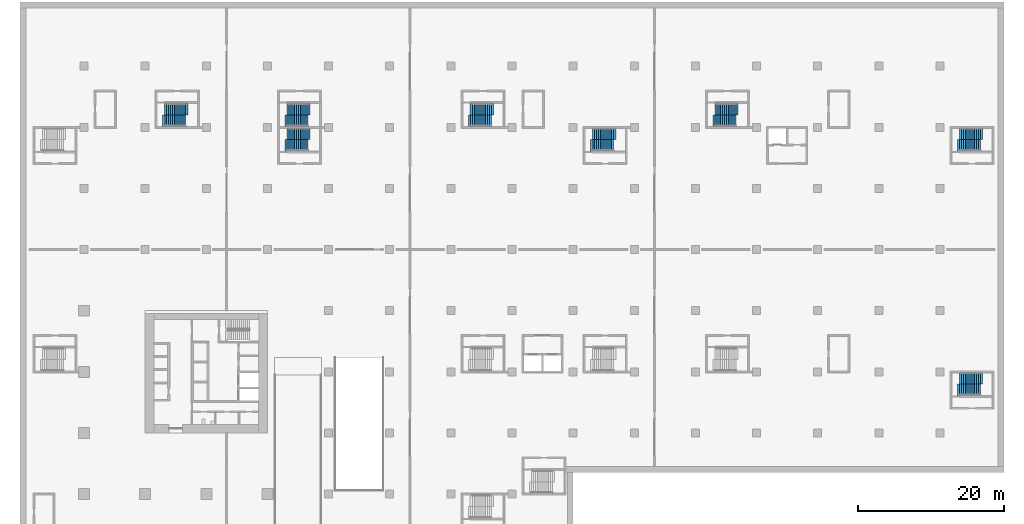
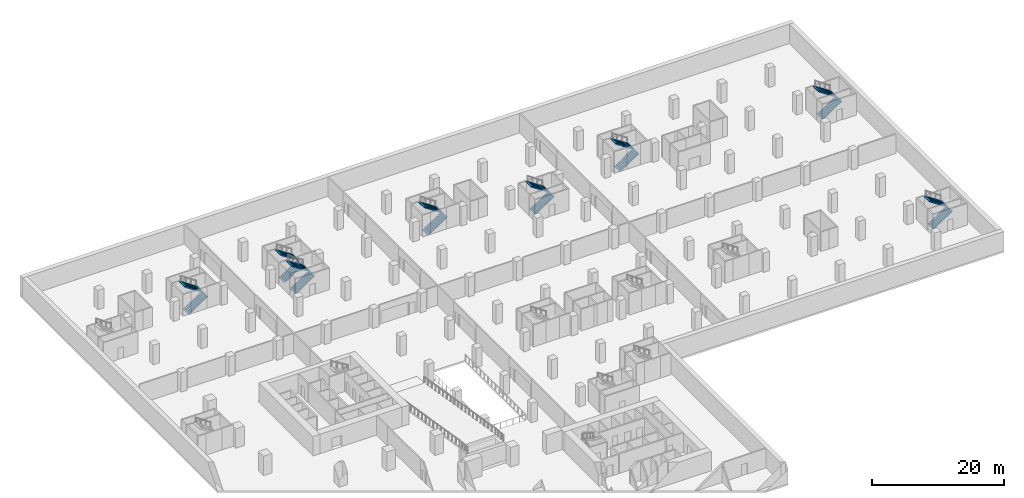
# One storey, part 15 of 18: 16 stair flights, 8 elements without a shape of their own.
"""IFC4 building model written with IfcOpenShell, lengths in metres."""

from ifc_helpers import new_model, si_unit, direction, frame, origin, place, context, subcontext, project, spatial, polyline, outline, extrude, material, type_object, element, aggregate, save


model = new_model("IFC4")

# Units and contexts
model_context = context("Model", 3, precision=1e-05, world=origin(), true_north=direction((0.0, 1.0)))
body_context = subcontext(model_context, "Body", "Model", "MODEL_VIEW")
ifc_project = project(units=[si_unit("LENGTHUNIT", "METRE"), si_unit("AREAUNIT", "SQUARE_METRE"), si_unit("VOLUMEUNIT", "CUBIC_METRE"), si_unit("PLANEANGLEUNIT", "RADIAN"), si_unit("MASSUNIT", "GRAM", prefix="KILO")], contexts=[model_context])

# Site, building, storey
site_placement = place(None, origin())
site = spatial("IfcSite", under=ifc_project, at=site_placement, CompositionType="ELEMENT")
building_placement = place(site_placement, origin())
building = spatial("IfcBuilding", under=site, at=building_placement, Name="Vermilion Gate Residences", CompositionType="ELEMENT")
storey_placement = place(building_placement, frame((0.0, 0.0, -4.0)))
storey = spatial("IfcBuildingStorey", under=building, at=storey_placement, Name="B1", CompositionType="ELEMENT", Elevation=-4.0)

# Stair, stair flights
ifc_material_1 = material(Name="Concrete C30", Category="concrete")
stair_type = type_object("IfcStairType", Name="ESCAPE STAIR 1200 (AMENITY)", PredefinedType="HALF_TURN_STAIR", material=ifc_material_1)
stair_1_placement = place(storey_placement, origin())
stair_1 = element("IfcStair", 1, at=stair_1_placement, inside=storey, type_object=stair_type, Name="Garage escape stair 5 B1 to L00", PredefinedType="HALF_TURN_STAIR")
ifc_material_2 = material(Name="Concrete C30", Category="concrete")
stair_flight_type = type_object("IfcStairFlightType", Name="ESCAPE STAIR FLIGHT 1200 (AMENITY)", PredefinedType="STRAIGHT", material=ifc_material_2)
stair_flight_1_placement = place(storey_placement, frame((120.300048828125, 47.89990234375, 0.0), z_axis=(0.0, 0.0, 1.0), x_axis=(1.0, 0.0, 0.0)))
stair_flight_1 = element("IfcStairFlight", 2, at=stair_flight_1_placement, type_object=stair_flight_type, Name="STG5 flight 1", NumberOfRisers=12, NumberOfTreads=11, PredefinedType="STRAIGHT", RiserHeight=0.173913043, TreadLength=0.26, context=body_context, shape_type="SweptSolid", body=[
    extrude(outline(polyline([(-0.300048828125, -0.14990234375), (-0.300048828125, -0.030029296875), (0.0, 0.0), (0.0, 0.173828125), (0.260009765625, 0.173828125), (0.260009765625, 0.347900390625), (0.52001953125, 0.347900390625), (0.52001953125, 0.521728515625), (0.780029296875, 0.521728515625), (0.780029296875, 0.695556640625), (1.0400390625, 0.695556640625), (1.0400390625, 0.86962890625), (1.300048828125, 0.86962890625), (1.300048828125, 1.04345703125), (1.56005859375, 1.04345703125), (1.56005859375, 1.21728515625), (1.820068359375, 1.21728515625), (1.820068359375, 1.391357421875), (2.080078125, 1.391357421875), (2.080078125, 1.565185546875), (2.340087890625, 1.565185546875), (2.340087890625, 1.739013671875), (2.60009765625, 1.739013671875), (2.60009765625, 1.9130859375), (2.860107421875, 1.9130859375), (2.860107421875, 2.0869140625), (3.159912109375, 2.056884765625), (3.159912109375, 1.93701171875), (2.860107421875, 1.732666015625), (0.26953125, 0.0), (-0.300048828125, -0.14990234375)])), frame((0.0, 0.800048828125, 0.0), z_axis=(0.0, -1.0, 0.0), x_axis=(1.0, 0.0, 0.0)), (0.0, 0.0, 1.0), 1.60009765625),
])
stair_flight_2_placement = place(storey_placement, frame((123.159912109375, 49.5, 2.0869140625), z_axis=(0.0, 0.0, 1.0), x_axis=(-1.0, 0.0, 0.0)))
stair_flight_2 = element("IfcStairFlight", 3, at=stair_flight_2_placement, type_object=stair_flight_type, Name="STG5 flight 2", NumberOfRisers=11, NumberOfTreads=10, PredefinedType="STRAIGHT", RiserHeight=0.173913043, TreadLength=0.26, context=body_context, shape_type="SweptSolid", body=[
    extrude(outline(polyline([(-0.300048828125, -0.14990234375), (-0.300048828125, -0.030029296875), (0.0, 0.0), (0.0, 0.173828125), (0.260009765625, 0.173828125), (0.260009765625, 0.347900390625), (0.52001953125, 0.347900390625), (0.52001953125, 0.521728515625), (0.780029296875, 0.521728515625), (0.780029296875, 0.695556640625), (1.0400390625, 0.695556640625), (1.0400390625, 0.86962890625), (1.300048828125, 0.86962890625), (1.300048828125, 1.04345703125), (1.56005859375, 1.04345703125), (1.56005859375, 1.21728515625), (1.820068359375, 1.21728515625), (1.820068359375, 1.391357421875), (2.080078125, 1.391357421875), (2.080078125, 1.565185546875), (2.340087890625, 1.565185546875), (2.340087890625, 1.739013671875), (2.60009765625, 1.739013671875), (2.60009765625, 1.9130859375), (2.89990234375, 1.883056640625), (2.89990234375, 1.76318359375), (2.60009765625, 1.558837890625), (0.26953125, 0.0), (-0.300048828125, -0.14990234375)])), frame((0.0, 0.800048828125, 0.0), z_axis=(0.0, -1.0, 0.0), x_axis=(1.0, 0.0, 0.0)), (0.0, 0.0, 1.0), 1.60009765625),
])
aggregate(stair_1, [stair_flight_1, stair_flight_2])

stair_2_placement = place(storey_placement, origin())
stair_2 = element("IfcStair", 4, at=stair_2_placement, inside=storey, type_object=stair_type, Name="Garage escape stair 8 B1 to L00", PredefinedType="HALF_TURN_STAIR")
stair_flight_3_placement = place(storey_placement, frame((11.10009765625, 84.89990234375, 0.0), z_axis=(0.0, 0.0, 1.0), x_axis=(1.0, 0.0, 0.0)))
stair_flight_3 = element("IfcStairFlight", 5, at=stair_flight_3_placement, type_object=stair_flight_type, Name="STG8 flight 1", NumberOfRisers=12, NumberOfTreads=11, PredefinedType="STRAIGHT", RiserHeight=0.173913043, TreadLength=0.26, context=body_context, shape_type="SweptSolid", body=[
    extrude(outline(polyline([(-0.300048828125, -0.14990234375), (-0.300048828125, -0.030029296875), (0.0, 0.0), (0.0, 0.173828125), (0.260009765625, 0.173828125), (0.260009765625, 0.347900390625), (0.52001953125, 0.347900390625), (0.52001953125, 0.521728515625), (0.780029296875, 0.521728515625), (0.780029296875, 0.695556640625), (1.0400390625, 0.695556640625), (1.0400390625, 0.86962890625), (1.300048828125, 0.86962890625), (1.300048828125, 1.04345703125), (1.56005859375, 1.04345703125), (1.56005859375, 1.21728515625), (1.820068359375, 1.21728515625), (1.820068359375, 1.391357421875), (2.080078125, 1.391357421875), (2.080078125, 1.565185546875), (2.340087890625, 1.565185546875), (2.340087890625, 1.739013671875), (2.60009765625, 1.739013671875), (2.60009765625, 1.9130859375), (2.860107421875, 1.9130859375), (2.860107421875, 2.0869140625), (3.159912109375, 2.056884765625), (3.159912109375, 1.93701171875), (2.860107421875, 1.732666015625), (0.26953125, 0.0), (-0.300048828125, -0.14990234375)])), frame((0.0, 0.800048828125, 0.0), z_axis=(0.0, -1.0, 0.0), x_axis=(1.0, 0.0, 0.0)), (0.0, 0.0, 1.0), 1.60009765625),
])
stair_flight_4_placement = place(storey_placement, frame((13.9599609375, 86.5, 2.0869140625), z_axis=(0.0, 0.0, 1.0), x_axis=(-1.0, 0.0, 0.0)))
stair_flight_4 = element("IfcStairFlight", 6, at=stair_flight_4_placement, type_object=stair_flight_type, Name="STG8 flight 2", NumberOfRisers=11, NumberOfTreads=10, PredefinedType="STRAIGHT", RiserHeight=0.173913043, TreadLength=0.26, context=body_context, shape_type="SweptSolid", body=[
    extrude(outline(polyline([(-0.300048828125, -0.14990234375), (-0.300048828125, -0.030029296875), (0.0, 0.0), (0.0, 0.173828125), (0.260009765625, 0.173828125), (0.260009765625, 0.347900390625), (0.52001953125, 0.347900390625), (0.52001953125, 0.521728515625), (0.780029296875, 0.521728515625), (0.780029296875, 0.695556640625), (1.0400390625, 0.695556640625), (1.0400390625, 0.86962890625), (1.300048828125, 0.86962890625), (1.300048828125, 1.04345703125), (1.56005859375, 1.04345703125), (1.56005859375, 1.21728515625), (1.820068359375, 1.21728515625), (1.820068359375, 1.391357421875), (2.080078125, 1.391357421875), (2.080078125, 1.565185546875), (2.340087890625, 1.565185546875), (2.340087890625, 1.739013671875), (2.60009765625, 1.739013671875), (2.60009765625, 1.9130859375), (2.89990234375, 1.883056640625), (2.89990234375, 1.76318359375), (2.60009765625, 1.558837890625), (0.26953125, 0.0), (-0.300048828125, -0.14990234375)])), frame((0.0, 0.800048828125, 0.0), z_axis=(0.0, -1.0, 0.0), x_axis=(1.0, 0.0, 0.0)), (0.0, 0.0, 1.0), 1.60009765625),
])
aggregate(stair_2, [stair_flight_3, stair_flight_4])

stair_3_placement = place(storey_placement, origin())
stair_3 = element("IfcStair", 7, at=stair_3_placement, inside=storey, type_object=stair_type, Name="Garage escape stair 9 B1 to L00", PredefinedType="HALF_TURN_STAIR")
stair_flight_5_placement = place(storey_placement, frame((27.89990234375, 84.89990234375, 0.0), z_axis=(0.0, 0.0, 1.0), x_axis=(1.0, 0.0, 0.0)))
stair_flight_5 = element("IfcStairFlight", 8, at=stair_flight_5_placement, type_object=stair_flight_type, Name="STG9 flight 1", NumberOfRisers=12, NumberOfTreads=11, PredefinedType="STRAIGHT", RiserHeight=0.173913043, TreadLength=0.26, context=body_context, shape_type="SweptSolid", body=[
    extrude(outline(polyline([(-0.300048828125, -0.14990234375), (-0.300048828125, -0.030029296875), (0.0, 0.0), (0.0, 0.173828125), (0.260009765625, 0.173828125), (0.260009765625, 0.347900390625), (0.52001953125, 0.347900390625), (0.52001953125, 0.521728515625), (0.780029296875, 0.521728515625), (0.780029296875, 0.695556640625), (1.0400390625, 0.695556640625), (1.0400390625, 0.86962890625), (1.300048828125, 0.86962890625), (1.300048828125, 1.04345703125), (1.56005859375, 1.04345703125), (1.56005859375, 1.21728515625), (1.820068359375, 1.21728515625), (1.820068359375, 1.391357421875), (2.080078125, 1.391357421875), (2.080078125, 1.565185546875), (2.340087890625, 1.565185546875), (2.340087890625, 1.739013671875), (2.60009765625, 1.739013671875), (2.60009765625, 1.9130859375), (2.860107421875, 1.9130859375), (2.860107421875, 2.0869140625), (3.159912109375, 2.056884765625), (3.159912109375, 1.93701171875), (2.860107421875, 1.732666015625), (0.26953125, 0.0), (-0.300048828125, -0.14990234375)])), frame((0.0, 0.800048828125, 0.0), z_axis=(0.0, -1.0, 0.0), x_axis=(1.0, 0.0, 0.0)), (0.0, 0.0, 1.0), 1.60009765625),
])
stair_flight_6_placement = place(storey_placement, frame((30.760009765625, 86.5, 2.0869140625), z_axis=(0.0, 0.0, 1.0), x_axis=(-1.0, 0.0, 0.0)))
stair_flight_6 = element("IfcStairFlight", 9, at=stair_flight_6_placement, type_object=stair_flight_type, Name="STG9 flight 2", NumberOfRisers=11, NumberOfTreads=10, PredefinedType="STRAIGHT", RiserHeight=0.173913043, TreadLength=0.26, context=body_context, shape_type="SweptSolid", body=[
    extrude(outline(polyline([(-0.300048828125, -0.14990234375), (-0.300048828125, -0.030029296875), (0.0, 0.0), (0.0, 0.173828125), (0.260009765625, 0.173828125), (0.260009765625, 0.347900390625), (0.52001953125, 0.347900390625), (0.52001953125, 0.521728515625), (0.780029296875, 0.521728515625), (0.780029296875, 0.695556640625), (1.0400390625, 0.695556640625), (1.0400390625, 0.86962890625), (1.300048828125, 0.86962890625), (1.300048828125, 1.04345703125), (1.56005859375, 1.04345703125), (1.56005859375, 1.21728515625), (1.820068359375, 1.21728515625), (1.820068359375, 1.391357421875), (2.080078125, 1.391357421875), (2.080078125, 1.565185546875), (2.340087890625, 1.565185546875), (2.340087890625, 1.739013671875), (2.60009765625, 1.739013671875), (2.60009765625, 1.9130859375), (2.89990234375, 1.883056640625), (2.89990234375, 1.76318359375), (2.60009765625, 1.558837890625), (0.26953125, 0.0), (-0.300048828125, -0.14990234375)])), frame((0.0, 0.800048828125, 0.0), z_axis=(0.0, -1.0, 0.0), x_axis=(1.0, 0.0, 0.0)), (0.0, 0.0, 1.0), 1.60009765625),
])
aggregate(stair_3, [stair_flight_5, stair_flight_6])

stair_4_placement = place(storey_placement, origin())
stair_4 = element("IfcStair", 10, at=stair_4_placement, inside=storey, type_object=stair_type, Name="Garage escape stair 10 B1 to L00", PredefinedType="HALF_TURN_STAIR")
stair_flight_7_placement = place(storey_placement, frame((27.89990234375, 81.5, 0.0), z_axis=(0.0, 0.0, 1.0), x_axis=(1.0, 0.0, 0.0)))
stair_flight_7 = element("IfcStairFlight", 11, at=stair_flight_7_placement, type_object=stair_flight_type, Name="STG10 flight 1", NumberOfRisers=12, NumberOfTreads=11, PredefinedType="STRAIGHT", RiserHeight=0.173913043, TreadLength=0.26, context=body_context, shape_type="SweptSolid", body=[
    extrude(outline(polyline([(-0.300048828125, -0.14990234375), (-0.300048828125, -0.030029296875), (0.0, 0.0), (0.0, 0.173828125), (0.260009765625, 0.173828125), (0.260009765625, 0.347900390625), (0.52001953125, 0.347900390625), (0.52001953125, 0.521728515625), (0.780029296875, 0.521728515625), (0.780029296875, 0.695556640625), (1.0400390625, 0.695556640625), (1.0400390625, 0.86962890625), (1.300048828125, 0.86962890625), (1.300048828125, 1.04345703125), (1.56005859375, 1.04345703125), (1.56005859375, 1.21728515625), (1.820068359375, 1.21728515625), (1.820068359375, 1.391357421875), (2.080078125, 1.391357421875), (2.080078125, 1.565185546875), (2.340087890625, 1.565185546875), (2.340087890625, 1.739013671875), (2.60009765625, 1.739013671875), (2.60009765625, 1.9130859375), (2.860107421875, 1.9130859375), (2.860107421875, 2.0869140625), (3.159912109375, 2.056884765625), (3.159912109375, 1.93701171875), (2.860107421875, 1.732666015625), (0.26953125, 0.0), (-0.300048828125, -0.14990234375)])), frame((0.0, 0.800048828125, 0.0), z_axis=(0.0, -1.0, 0.0), x_axis=(1.0, 0.0, 0.0)), (0.0, 0.0, 1.0), 1.60009765625),
])
stair_flight_8_placement = place(storey_placement, frame((30.760009765625, 83.10009765625, 2.0869140625), z_axis=(0.0, 0.0, 1.0), x_axis=(-1.0, 0.0, 0.0)))
stair_flight_8 = element("IfcStairFlight", 12, at=stair_flight_8_placement, type_object=stair_flight_type, Name="STG10 flight 2", NumberOfRisers=11, NumberOfTreads=10, PredefinedType="STRAIGHT", RiserHeight=0.173913043, TreadLength=0.26, context=body_context, shape_type="SweptSolid", body=[
    extrude(outline(polyline([(-0.300048828125, -0.14990234375), (-0.300048828125, -0.030029296875), (0.0, 0.0), (0.0, 0.173828125), (0.260009765625, 0.173828125), (0.260009765625, 0.347900390625), (0.52001953125, 0.347900390625), (0.52001953125, 0.521728515625), (0.780029296875, 0.521728515625), (0.780029296875, 0.695556640625), (1.0400390625, 0.695556640625), (1.0400390625, 0.86962890625), (1.300048828125, 0.86962890625), (1.300048828125, 1.04345703125), (1.56005859375, 1.04345703125), (1.56005859375, 1.21728515625), (1.820068359375, 1.21728515625), (1.820068359375, 1.391357421875), (2.080078125, 1.391357421875), (2.080078125, 1.565185546875), (2.340087890625, 1.565185546875), (2.340087890625, 1.739013671875), (2.60009765625, 1.739013671875), (2.60009765625, 1.9130859375), (2.89990234375, 1.883056640625), (2.89990234375, 1.76318359375), (2.60009765625, 1.558837890625), (0.26953125, 0.0), (-0.300048828125, -0.14990234375)])), frame((0.0, 0.800048828125, 0.0), z_axis=(0.0, -1.0, 0.0), x_axis=(1.0, 0.0, 0.0)), (0.0, 0.0, 1.0), 1.60009765625),
])
aggregate(stair_4, [stair_flight_7, stair_flight_8])

stair_5_placement = place(storey_placement, origin())
stair_5 = element("IfcStair", 13, at=stair_5_placement, inside=storey, type_object=stair_type, Name="Garage escape stair 11 B1 to L00", PredefinedType="HALF_TURN_STAIR")
stair_flight_9_placement = place(storey_placement, frame((69.89990234375, 81.5, 0.0), z_axis=(0.0, 0.0, 1.0), x_axis=(1.0, 0.0, 0.0)))
stair_flight_9 = element("IfcStairFlight", 14, at=stair_flight_9_placement, type_object=stair_flight_type, Name="STG11 flight 1", NumberOfRisers=12, NumberOfTreads=11, PredefinedType="STRAIGHT", RiserHeight=0.173913043, TreadLength=0.26, context=body_context, shape_type="SweptSolid", body=[
    extrude(outline(polyline([(-0.300048828125, -0.14990234375), (-0.300048828125, -0.030029296875), (0.0, 0.0), (0.0, 0.173828125), (0.260009765625, 0.173828125), (0.260009765625, 0.347900390625), (0.52001953125, 0.347900390625), (0.52001953125, 0.521728515625), (0.780029296875, 0.521728515625), (0.780029296875, 0.695556640625), (1.0400390625, 0.695556640625), (1.0400390625, 0.86962890625), (1.300048828125, 0.86962890625), (1.300048828125, 1.04345703125), (1.56005859375, 1.04345703125), (1.56005859375, 1.21728515625), (1.820068359375, 1.21728515625), (1.820068359375, 1.391357421875), (2.080078125, 1.391357421875), (2.080078125, 1.565185546875), (2.340087890625, 1.565185546875), (2.340087890625, 1.739013671875), (2.60009765625, 1.739013671875), (2.60009765625, 1.9130859375), (2.860107421875, 1.9130859375), (2.860107421875, 2.0869140625), (3.159912109375, 2.056884765625), (3.159912109375, 1.93701171875), (2.860107421875, 1.732666015625), (0.26953125, 0.0), (-0.300048828125, -0.14990234375)])), frame((0.0, 0.800048828125, 0.0), z_axis=(0.0, -1.0, 0.0), x_axis=(1.0, 0.0, 0.0)), (0.0, 0.0, 1.0), 1.60009765625),
])
stair_flight_10_placement = place(storey_placement, frame((72.760009765625, 83.10009765625, 2.0869140625), z_axis=(0.0, 0.0, 1.0), x_axis=(-1.0, 0.0, 0.0)))
stair_flight_10 = element("IfcStairFlight", 15, at=stair_flight_10_placement, type_object=stair_flight_type, Name="STG11 flight 2", NumberOfRisers=11, NumberOfTreads=10, PredefinedType="STRAIGHT", RiserHeight=0.173913043, TreadLength=0.26, context=body_context, shape_type="SweptSolid", body=[
    extrude(outline(polyline([(-0.300048828125, -0.14990234375), (-0.300048828125, -0.030029296875), (0.0, 0.0), (0.0, 0.173828125), (0.260009765625, 0.173828125), (0.260009765625, 0.347900390625), (0.52001953125, 0.347900390625), (0.52001953125, 0.521728515625), (0.780029296875, 0.521728515625), (0.780029296875, 0.695556640625), (1.0400390625, 0.695556640625), (1.0400390625, 0.86962890625), (1.300048828125, 0.86962890625), (1.300048828125, 1.04345703125), (1.56005859375, 1.04345703125), (1.56005859375, 1.21728515625), (1.820068359375, 1.21728515625), (1.820068359375, 1.391357421875), (2.080078125, 1.391357421875), (2.080078125, 1.565185546875), (2.340087890625, 1.565185546875), (2.340087890625, 1.739013671875), (2.60009765625, 1.739013671875), (2.60009765625, 1.9130859375), (2.89990234375, 1.883056640625), (2.89990234375, 1.76318359375), (2.60009765625, 1.558837890625), (0.26953125, 0.0), (-0.300048828125, -0.14990234375)])), frame((0.0, 0.800048828125, 0.0), z_axis=(0.0, -1.0, 0.0), x_axis=(1.0, 0.0, 0.0)), (0.0, 0.0, 1.0), 1.60009765625),
])
aggregate(stair_5, [stair_flight_9, stair_flight_10])

stair_6_placement = place(storey_placement, origin())
stair_6 = element("IfcStair", 16, at=stair_6_placement, inside=storey, type_object=stair_type, Name="Garage escape stair 12 B1 to L00", PredefinedType="HALF_TURN_STAIR")
stair_flight_11_placement = place(storey_placement, frame((53.10009765625, 84.89990234375, 0.0), z_axis=(0.0, 0.0, 1.0), x_axis=(1.0, 0.0, 0.0)))
stair_flight_11 = element("IfcStairFlight", 17, at=stair_flight_11_placement, type_object=stair_flight_type, Name="STG12 flight 1", NumberOfRisers=12, NumberOfTreads=11, PredefinedType="STRAIGHT", RiserHeight=0.173913043, TreadLength=0.26, context=body_context, shape_type="SweptSolid", body=[
    extrude(outline(polyline([(-0.300048828125, -0.14990234375), (-0.300048828125, -0.030029296875), (0.0, 0.0), (0.0, 0.173828125), (0.260009765625, 0.173828125), (0.260009765625, 0.347900390625), (0.52001953125, 0.347900390625), (0.52001953125, 0.521728515625), (0.780029296875, 0.521728515625), (0.780029296875, 0.695556640625), (1.0400390625, 0.695556640625), (1.0400390625, 0.86962890625), (1.300048828125, 0.86962890625), (1.300048828125, 1.04345703125), (1.56005859375, 1.04345703125), (1.56005859375, 1.21728515625), (1.820068359375, 1.21728515625), (1.820068359375, 1.391357421875), (2.080078125, 1.391357421875), (2.080078125, 1.565185546875), (2.340087890625, 1.565185546875), (2.340087890625, 1.739013671875), (2.60009765625, 1.739013671875), (2.60009765625, 1.9130859375), (2.860107421875, 1.9130859375), (2.860107421875, 2.0869140625), (3.159912109375, 2.056884765625), (3.159912109375, 1.93701171875), (2.860107421875, 1.732666015625), (0.26953125, 0.0), (-0.300048828125, -0.14990234375)])), frame((0.0, 0.800048828125, 0.0), z_axis=(0.0, -1.0, 0.0), x_axis=(1.0, 0.0, 0.0)), (0.0, 0.0, 1.0), 1.60009765625),
])
stair_flight_12_placement = place(storey_placement, frame((55.9599609375, 86.5, 2.0869140625), z_axis=(0.0, 0.0, 1.0), x_axis=(-1.0, 0.0, 0.0)))
stair_flight_12 = element("IfcStairFlight", 18, at=stair_flight_12_placement, type_object=stair_flight_type, Name="STG12 flight 2", NumberOfRisers=11, NumberOfTreads=10, PredefinedType="STRAIGHT", RiserHeight=0.173913043, TreadLength=0.26, context=body_context, shape_type="SweptSolid", body=[
    extrude(outline(polyline([(-0.300048828125, -0.14990234375), (-0.300048828125, -0.030029296875), (0.0, 0.0), (0.0, 0.173828125), (0.260009765625, 0.173828125), (0.260009765625, 0.347900390625), (0.52001953125, 0.347900390625), (0.52001953125, 0.521728515625), (0.780029296875, 0.521728515625), (0.780029296875, 0.695556640625), (1.0400390625, 0.695556640625), (1.0400390625, 0.86962890625), (1.300048828125, 0.86962890625), (1.300048828125, 1.04345703125), (1.56005859375, 1.04345703125), (1.56005859375, 1.21728515625), (1.820068359375, 1.21728515625), (1.820068359375, 1.391357421875), (2.080078125, 1.391357421875), (2.080078125, 1.565185546875), (2.340087890625, 1.565185546875), (2.340087890625, 1.739013671875), (2.60009765625, 1.739013671875), (2.60009765625, 1.9130859375), (2.89990234375, 1.883056640625), (2.89990234375, 1.76318359375), (2.60009765625, 1.558837890625), (0.26953125, 0.0), (-0.300048828125, -0.14990234375)])), frame((0.0, 0.800048828125, 0.0), z_axis=(0.0, -1.0, 0.0), x_axis=(1.0, 0.0, 0.0)), (0.0, 0.0, 1.0), 1.60009765625),
])
aggregate(stair_6, [stair_flight_11, stair_flight_12])

stair_7_placement = place(storey_placement, origin())
stair_7 = element("IfcStair", 19, at=stair_7_placement, inside=storey, type_object=stair_type, Name="Garage escape stair 13 B1 to L00", PredefinedType="HALF_TURN_STAIR")
stair_flight_13_placement = place(storey_placement, frame((120.300048828125, 81.5, 0.0), z_axis=(0.0, 0.0, 1.0), x_axis=(1.0, 0.0, 0.0)))
stair_flight_13 = element("IfcStairFlight", 20, at=stair_flight_13_placement, type_object=stair_flight_type, Name="STG13 flight 1", NumberOfRisers=12, NumberOfTreads=11, PredefinedType="STRAIGHT", RiserHeight=0.173913043, TreadLength=0.26, context=body_context, shape_type="SweptSolid", body=[
    extrude(outline(polyline([(-0.300048828125, -0.14990234375), (-0.300048828125, -0.030029296875), (0.0, 0.0), (0.0, 0.173828125), (0.260009765625, 0.173828125), (0.260009765625, 0.347900390625), (0.52001953125, 0.347900390625), (0.52001953125, 0.521728515625), (0.780029296875, 0.521728515625), (0.780029296875, 0.695556640625), (1.0400390625, 0.695556640625), (1.0400390625, 0.86962890625), (1.300048828125, 0.86962890625), (1.300048828125, 1.04345703125), (1.56005859375, 1.04345703125), (1.56005859375, 1.21728515625), (1.820068359375, 1.21728515625), (1.820068359375, 1.391357421875), (2.080078125, 1.391357421875), (2.080078125, 1.565185546875), (2.340087890625, 1.565185546875), (2.340087890625, 1.739013671875), (2.60009765625, 1.739013671875), (2.60009765625, 1.9130859375), (2.860107421875, 1.9130859375), (2.860107421875, 2.0869140625), (3.159912109375, 2.056884765625), (3.159912109375, 1.93701171875), (2.860107421875, 1.732666015625), (0.26953125, 0.0), (-0.300048828125, -0.14990234375)])), frame((0.0, 0.800048828125, 0.0), z_axis=(0.0, -1.0, 0.0), x_axis=(1.0, 0.0, 0.0)), (0.0, 0.0, 1.0), 1.60009765625),
])
stair_flight_14_placement = place(storey_placement, frame((123.159912109375, 83.10009765625, 2.0869140625), z_axis=(0.0, 0.0, 1.0), x_axis=(-1.0, 0.0, 0.0)))
stair_flight_14 = element("IfcStairFlight", 21, at=stair_flight_14_placement, type_object=stair_flight_type, Name="STG13 flight 2", NumberOfRisers=11, NumberOfTreads=10, PredefinedType="STRAIGHT", RiserHeight=0.173913043, TreadLength=0.26, context=body_context, shape_type="SweptSolid", body=[
    extrude(outline(polyline([(-0.300048828125, -0.14990234375), (-0.300048828125, -0.030029296875), (0.0, 0.0), (0.0, 0.173828125), (0.260009765625, 0.173828125), (0.260009765625, 0.347900390625), (0.52001953125, 0.347900390625), (0.52001953125, 0.521728515625), (0.780029296875, 0.521728515625), (0.780029296875, 0.695556640625), (1.0400390625, 0.695556640625), (1.0400390625, 0.86962890625), (1.300048828125, 0.86962890625), (1.300048828125, 1.04345703125), (1.56005859375, 1.04345703125), (1.56005859375, 1.21728515625), (1.820068359375, 1.21728515625), (1.820068359375, 1.391357421875), (2.080078125, 1.391357421875), (2.080078125, 1.565185546875), (2.340087890625, 1.565185546875), (2.340087890625, 1.739013671875), (2.60009765625, 1.739013671875), (2.60009765625, 1.9130859375), (2.89990234375, 1.883056640625), (2.89990234375, 1.76318359375), (2.60009765625, 1.558837890625), (0.26953125, 0.0), (-0.300048828125, -0.14990234375)])), frame((0.0, 0.800048828125, 0.0), z_axis=(0.0, -1.0, 0.0), x_axis=(1.0, 0.0, 0.0)), (0.0, 0.0, 1.0), 1.60009765625),
])
aggregate(stair_7, [stair_flight_13, stair_flight_14])

stair_8_placement = place(storey_placement, origin())
stair_8 = element("IfcStair", 22, at=stair_8_placement, inside=storey, type_object=stair_type, Name="Garage escape stair 14 B1 to L00", PredefinedType="HALF_TURN_STAIR")
stair_flight_15_placement = place(storey_placement, frame((86.699951171875, 84.89990234375, 0.0), z_axis=(0.0, 0.0, 1.0), x_axis=(1.0, 0.0, 0.0)))
stair_flight_15 = element("IfcStairFlight", 23, at=stair_flight_15_placement, type_object=stair_flight_type, Name="STG14 flight 1", NumberOfRisers=12, NumberOfTreads=11, PredefinedType="STRAIGHT", RiserHeight=0.173913043, TreadLength=0.26, context=body_context, shape_type="SweptSolid", body=[
    extrude(outline(polyline([(-0.300048828125, -0.14990234375), (-0.300048828125, -0.030029296875), (0.0, 0.0), (0.0, 0.173828125), (0.260009765625, 0.173828125), (0.260009765625, 0.347900390625), (0.52001953125, 0.347900390625), (0.52001953125, 0.521728515625), (0.780029296875, 0.521728515625), (0.780029296875, 0.695556640625), (1.0400390625, 0.695556640625), (1.0400390625, 0.86962890625), (1.300048828125, 0.86962890625), (1.300048828125, 1.04345703125), (1.56005859375, 1.04345703125), (1.56005859375, 1.21728515625), (1.820068359375, 1.21728515625), (1.820068359375, 1.391357421875), (2.080078125, 1.391357421875), (2.080078125, 1.565185546875), (2.340087890625, 1.565185546875), (2.340087890625, 1.739013671875), (2.60009765625, 1.739013671875), (2.60009765625, 1.9130859375), (2.860107421875, 1.9130859375), (2.860107421875, 2.0869140625), (3.159912109375, 2.056884765625), (3.159912109375, 1.93701171875), (2.860107421875, 1.732666015625), (0.26953125, 0.0), (-0.300048828125, -0.14990234375)])), frame((0.0, 0.800048828125, 0.0), z_axis=(0.0, -1.0, 0.0), x_axis=(1.0, 0.0, 0.0)), (0.0, 0.0, 1.0), 1.60009765625),
])
stair_flight_16_placement = place(storey_placement, frame((89.56005859375, 86.5, 2.0869140625), z_axis=(0.0, 0.0, 1.0), x_axis=(-1.0, 0.0, 0.0)))
stair_flight_16 = element("IfcStairFlight", 24, at=stair_flight_16_placement, type_object=stair_flight_type, Name="STG14 flight 2", NumberOfRisers=11, NumberOfTreads=10, PredefinedType="STRAIGHT", RiserHeight=0.173913043, TreadLength=0.26, context=body_context, shape_type="SweptSolid", body=[
    extrude(outline(polyline([(-0.300048828125, -0.14990234375), (-0.300048828125, -0.030029296875), (0.0, 0.0), (0.0, 0.173828125), (0.260009765625, 0.173828125), (0.260009765625, 0.347900390625), (0.52001953125, 0.347900390625), (0.52001953125, 0.521728515625), (0.780029296875, 0.521728515625), (0.780029296875, 0.695556640625), (1.0400390625, 0.695556640625), (1.0400390625, 0.86962890625), (1.300048828125, 0.86962890625), (1.300048828125, 1.04345703125), (1.56005859375, 1.04345703125), (1.56005859375, 1.21728515625), (1.820068359375, 1.21728515625), (1.820068359375, 1.391357421875), (2.080078125, 1.391357421875), (2.080078125, 1.565185546875), (2.340087890625, 1.565185546875), (2.340087890625, 1.739013671875), (2.60009765625, 1.739013671875), (2.60009765625, 1.9130859375), (2.89990234375, 1.883056640625), (2.89990234375, 1.76318359375), (2.60009765625, 1.558837890625), (0.26953125, 0.0), (-0.300048828125, -0.14990234375)])), frame((0.0, 0.800048828125, 0.0), z_axis=(0.0, -1.0, 0.0), x_axis=(1.0, 0.0, 0.0)), (0.0, 0.0, 1.0), 1.60009765625),
])
aggregate(stair_8, [stair_flight_15, stair_flight_16])

save(model, "model.ifc")
